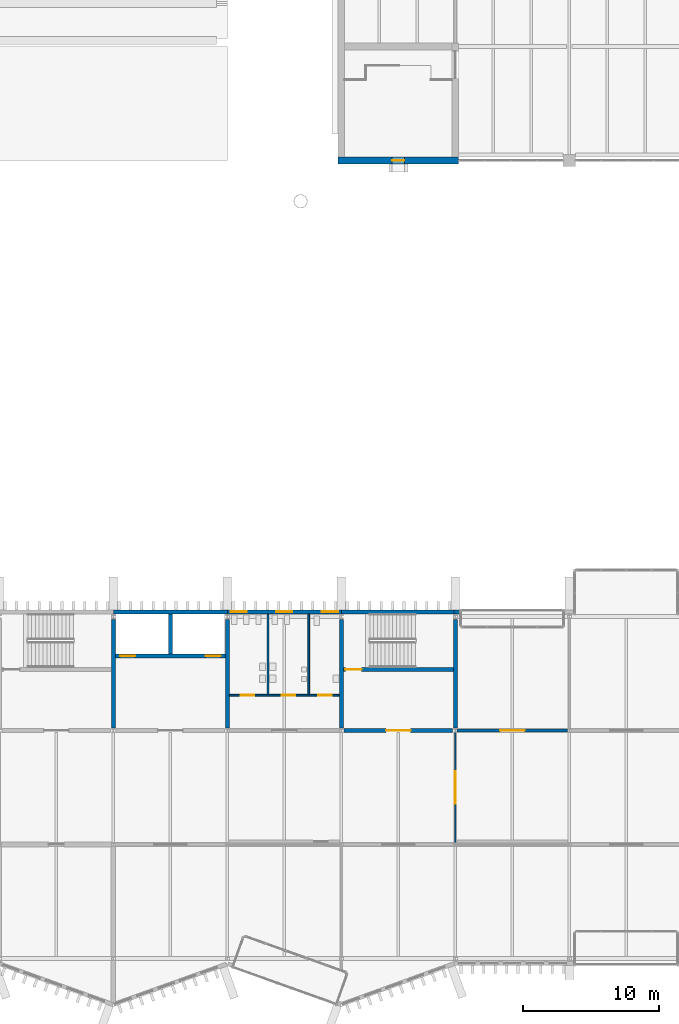
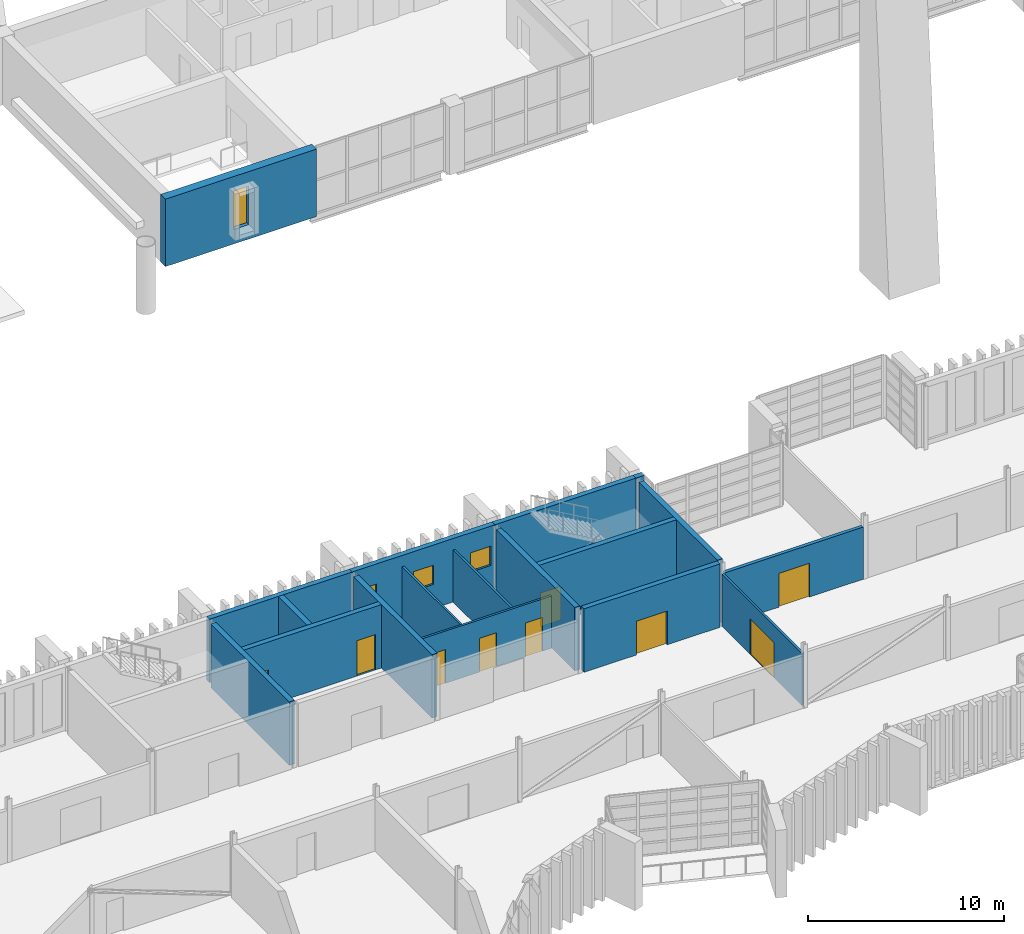
# One storey, part 56 of 88: 18 walls, 9 doors, 4 windows, 13 openings.
"""IFC4 building model written with IfcOpenShell, lengths in metres."""

from ifc_helpers import new_model, si_unit, direction, frame, frame_2d, origin, place, context, subcontext, project, spatial, rectangle, extrude, material, layer, layer_set, type_object, element, fill, save


model = new_model("IFC4")

# Units and contexts
model_context = context("Model", 3, precision=1e-05, world=origin(), true_north=direction((0.0, 1.0)))
body_context = subcontext(model_context, "Body", "Model", "MODEL_VIEW")
ifc_project = project(units=[si_unit("LENGTHUNIT", "METRE"), si_unit("AREAUNIT", "SQUARE_METRE"), si_unit("VOLUMEUNIT", "CUBIC_METRE"), si_unit("PLANEANGLEUNIT", "RADIAN"), si_unit("MASSUNIT", "GRAM", prefix="KILO")], contexts=[model_context])

# Site, building, storey
site_placement = place(None, origin())
site = spatial("IfcSite", under=ifc_project, at=site_placement, CompositionType="ELEMENT")
building_placement = place(site_placement, origin())
building = spatial("IfcBuilding", under=site, at=building_placement, Name="Cresset Court Congress Hotel", CompositionType="ELEMENT")
storey_placement = place(building_placement, frame((0.0, 0.0, 14.39990234375)))
storey = spatial("IfcBuildingStorey", under=building, at=storey_placement, Name="L03", CompositionType="ELEMENT", Elevation=14.39990234375)

# Walls
ifc_material_1 = material(Name="Concrete C50", Category="concrete")
ifc_layer_1 = layer(ifc_material_1, 0.300048828125)
ifc_layer_set_1 = layer_set([ifc_layer_1], Name="Core wall 300 Concrete C50")
wall_type_1 = type_object("IfcWallType", Name="Core wall 300 Concrete C50", PredefinedType="SHEAR", material=ifc_layer_set_1)
for number, where, z_axis, x_axis, name in (
    (1, (42.0, 17.0, 0.0), (0.0, 0.0, 1.0), (0.0, 1.0, 0.0), "Core wall LC-B1"),
    (2, (50.39990234375, 17.0, 0.0), (0.0, 0.0, 1.0), (0.0, 1.0, 0.0), "Core wall LC-B1"),
):
    element("IfcWall", number, at=place(storey_placement, frame(where, z_axis=z_axis, x_axis=x_axis)), inside=storey, type_object=wall_type_1, Name=name, PredefinedType="SHEAR", context=body_context, shape_type="SweptSolid", body=[
        extrude(rectangle(XDim=8.0, YDim=0.300048828125, at=frame_2d((4.0, 0.0))), origin(), (0.0, 0.0, 1.0), 3.9501953125),
    ])

# Wall, openings, doors
wall_1_placement = place(storey_placement, frame((42.14990234375, 22.300048828125, 0.0), z_axis=(0.0, 0.0, 1.0), x_axis=(1.0, 0.0, 0.0)))
wall_1 = element("IfcWall", 3, at=wall_1_placement, inside=storey, type_object=wall_type_1, Name="Core wall LC-B1", PredefinedType="SHEAR", context=body_context, shape_type="SweptSolid", body=[
    extrude(rectangle(XDim=8.10009765625, YDim=0.300048828125, at=frame_2d((4.050048828125, 0.0))), origin(), (0.0, 0.0, 1.0), 3.9501953125),
])
opening_1_placement = place(wall_1_placement, frame((0.35009765625, 0.0, 0.0)))
opening_1 = element("IfcOpeningElement", 4, at=opening_1_placement, cuts=wall_1, Name="Opening LD-B1-09", PredefinedType="OPENING", context=body_context, shape_type="SweptSolid", body=[
    extrude(rectangle(XDim=1.10009765625, YDim=2.199951171875, at=frame_2d((0.550048828125, 1.10009765625))), frame((0.0, 0.159912109375, 0.0), z_axis=(0.0, -1.0, 0.0), x_axis=(1.0, 0.0, 0.0)), (0.0, 0.0, 1.0), 0.320068359375),
])
opening_2_placement = place(wall_1_placement, frame((6.64990234375, 0.0, 0.0)))
opening_2 = element("IfcOpeningElement", 5, at=opening_2_placement, cuts=wall_1, Name="Opening LD-B1-10", PredefinedType="OPENING", context=body_context, shape_type="SweptSolid", body=[
    extrude(rectangle(XDim=1.10009765625, YDim=2.199951171875, at=frame_2d((0.550048828125, 1.10009765625))), frame((0.0, 0.159912109375, 0.0), z_axis=(0.0, -1.0, 0.0), x_axis=(1.0, 0.0, 0.0)), (0.0, 0.0, 1.0), 0.320068359375),
])
ifc_material_2 = material(Name="Stainless steel", Category="steel")
door_type_1 = type_object("IfcDoorType", Name="Lift landing door sliding 1100x2200", OperationType="SLIDING_TO_LEFT", PredefinedType="DOOR", material=ifc_material_2)
door_1_placement = place(opening_1_placement, origin())
door_1 = element("IfcDoor", 6, at=door_1_placement, inside=storey, type_object=door_type_1, Name="Lift landing door LD-B1-09", OperationType="SLIDING_TO_LEFT", OverallHeight=2.199951171875, OverallWidth=1.10009765625, PredefinedType="DOOR", context=body_context, shape_type="SweptSolid", body=[
    extrude(rectangle(XDim=1.10009765625, YDim=2.199951171875, at=frame_2d((0.550048828125, 1.10009765625))), frame((0.0, 0.02490234375, 0.0), z_axis=(0.0, -1.0, 0.0), x_axis=(1.0, 0.0, 0.0)), (0.0, 0.0, 1.0), 0.050048828125),
])
fill(opening_1, door_1)
door_2_placement = place(opening_2_placement, origin())
door_2 = element("IfcDoor", 7, at=door_2_placement, inside=storey, type_object=door_type_1, Name="Lift landing door LD-B1-10", OperationType="SLIDING_TO_LEFT", OverallHeight=2.199951171875, OverallWidth=1.10009765625, PredefinedType="DOOR", context=body_context, shape_type="SweptSolid", body=[
    extrude(rectangle(XDim=1.10009765625, YDim=2.199951171875, at=frame_2d((0.550048828125, 1.10009765625))), frame((0.0, 0.02490234375, 0.0), z_axis=(0.0, -1.0, 0.0), x_axis=(1.0, 0.0, 0.0)), (0.0, 0.0, 1.0), 0.050048828125),
])
fill(opening_2, door_2)

# Walls
wall_2_placement = place(storey_placement, frame((46.199951171875, 22.449951171875, 0.0), z_axis=(0.0, 0.0, 1.0), x_axis=(0.0, 1.0, 0.0)))
element("IfcWall", 8, at=wall_2_placement, inside=storey, type_object=wall_type_1, Name="Core wall LC-B1", PredefinedType="SHEAR", context=body_context, shape_type="SweptSolid", body=[
    extrude(rectangle(XDim=2.949951171875, YDim=0.300048828125, at=frame_2d((1.47509765625, 0.0))), origin(), (0.0, 0.0, 1.0), 3.9501953125),
])
for number, where, z_axis, x_axis, name in (
    (9, (58.800048828125, 17.0, 0.0), (0.0, 0.0, 1.0), (0.0, 1.0, 0.0), "Core wall ST-B3"),
    (10, (67.199951171875, 17.0, 0.0), (0.0, 0.0, 1.0), (0.0, 1.0, 0.0), "Core wall ST-B3"),
):
    element("IfcWall", number, at=place(storey_placement, frame(where, z_axis=z_axis, x_axis=x_axis)), inside=storey, type_object=wall_type_1, Name=name, PredefinedType="SHEAR", context=body_context, shape_type="SweptSolid", body=[
        extrude(rectangle(XDim=8.0, YDim=0.300048828125, at=frame_2d((4.0, 0.0))), origin(), (0.0, 0.0, 1.0), 3.9501953125),
    ])

# Wall, opening, door
wall_3_placement = place(storey_placement, frame((59.0, 16.800048828125, 0.0), z_axis=(0.0, 0.0, 1.0), x_axis=(1.0, 0.0, 0.0)))
wall_3 = element("IfcWall", 11, at=wall_3_placement, inside=storey, type_object=wall_type_1, Name="Core wall ST-B3", PredefinedType="SHEAR", context=body_context, shape_type="SweptSolid", body=[
    extrude(rectangle(XDim=8.0, YDim=0.300048828125, at=frame_2d((4.0, 0.0))), origin(), (0.0, 0.0, 1.0), 3.9501953125),
])
opening_3_placement = place(wall_3_placement, frame((3.10009765625, 0.0, 0.0)))
opening_3 = element("IfcOpeningElement", 12, at=opening_3_placement, cuts=wall_3, Name="Opening DB-03-49", PredefinedType="OPENING", context=body_context, shape_type="SweptSolid", body=[
    extrude(rectangle(XDim=1.800048828125, YDim=2.10009765625, at=frame_2d((0.89990234375, 1.050048828125))), frame((0.0, 0.159912109375, 0.0), z_axis=(0.0, -1.0, 0.0), x_axis=(1.0, 0.0, 0.0)), (0.0, 0.0, 1.0), 0.320068359375),
])
ifc_material_3 = material(Name="Timber and steel frame", Category="steel")
door_type_2 = type_object("IfcDoorType", Name="Lobby fire door FD60 double 1800x2100", OperationType="DOUBLE_DOOR_SINGLE_SWING", PredefinedType="DOOR", material=ifc_material_3)
door_3_placement = place(opening_3_placement, origin())
door_3 = element("IfcDoor", 13, at=door_3_placement, inside=storey, type_object=door_type_2, Name="Stair lobby door ST-B3", OperationType="DOUBLE_DOOR_SINGLE_SWING", OverallHeight=2.10009765625, OverallWidth=1.800048828125, PredefinedType="DOOR", context=body_context, shape_type="SweptSolid", body=[
    extrude(rectangle(XDim=1.800048828125, YDim=2.10009765625, at=frame_2d((0.89990234375, 1.050048828125))), frame((0.0, 0.02490234375, 0.0), z_axis=(0.0, -1.0, 0.0), x_axis=(1.0, 0.0, 0.0)), (0.0, 0.0, 1.0), 0.050048828125),
])
fill(opening_3, door_3)

wall_4_placement = place(storey_placement, frame((58.949951171875, 21.300048828125, 0.0), z_axis=(0.0, 0.0, 1.0), x_axis=(1.0, 0.0, 0.0)))
wall_4 = element("IfcWall", 14, at=wall_4_placement, inside=storey, type_object=wall_type_1, Name="Core wall ST-B3", PredefinedType="SHEAR", context=body_context, shape_type="SweptSolid", body=[
    extrude(rectangle(XDim=8.10009765625, YDim=0.300048828125, at=frame_2d((4.050048828125, 0.0))), origin(), (0.0, 0.0, 1.0), 3.9501953125),
])
opening_4_placement = place(wall_4_placement, frame((0.14990234375, 0.0, 0.0)))
opening_4 = element("IfcOpeningElement", 15, at=opening_4_placement, cuts=wall_4, Name="Opening DB-03-48", PredefinedType="OPENING", context=body_context, shape_type="SweptSolid", body=[
    extrude(rectangle(XDim=1.199951171875, YDim=2.10009765625, at=frame_2d((0.60009765625, 1.050048828125))), frame((0.0, 0.159912109375, 0.0), z_axis=(0.0, -1.0, 0.0), x_axis=(1.0, 0.0, 0.0)), (0.0, 0.0, 1.0), 0.320068359375),
])
ifc_material_4 = material(Name="Timber and steel frame", Category="steel")
door_type_3 = type_object("IfcDoorType", Name="Stair fire door FD60 1200x2100", OperationType="SINGLE_SWING_LEFT", PredefinedType="DOOR", material=ifc_material_4)
door_4_placement = place(opening_4_placement, origin())
door_4 = element("IfcDoor", 16, at=door_4_placement, inside=storey, type_object=door_type_3, Name="Stair door ST-B3", OperationType="SINGLE_SWING_LEFT", OverallHeight=2.10009765625, OverallWidth=1.199951171875, PredefinedType="DOOR", context=body_context, shape_type="SweptSolid", body=[
    extrude(rectangle(XDim=1.199951171875, YDim=2.10009765625, at=frame_2d((0.60009765625, 1.050048828125))), frame((0.0, 0.02490234375, 0.0), z_axis=(0.0, -1.0, 0.0), x_axis=(1.0, 0.0, 0.0)), (0.0, 0.0, 1.0), 0.050048828125),
])
fill(opening_4, door_4)

# Walls
ifc_material_5 = material(Name="Concrete C50", Category="concrete")
ifc_layer_2 = layer(ifc_material_5, 0.300048828125)
ifc_layer_set_2 = layer_set([ifc_layer_2], Name="Core wall 300 Concrete C50 external")
wall_type_2 = type_object("IfcWallType", Name="Core wall 300 Concrete C50 external", PredefinedType="SHEAR", material=ifc_layer_set_2)
for number, where, z_axis, x_axis, name in (
    (17, (42.0, 25.550048828125, 0.0), (0.0, 0.0, 1.0), (1.0, 0.0, 0.0), "Core wall LC-B1"),
    (18, (58.800048828125, 25.550048828125, 0.0), (0.0, 0.0, 1.0), (1.0, 0.0, 0.0), "Core wall ST-B3"),
):
    element("IfcWall", number, at=place(storey_placement, frame(where, z_axis=z_axis, x_axis=x_axis)), inside=storey, type_object=wall_type_2, Name=name, PredefinedType="SHEAR", context=body_context, shape_type="SweptSolid", body=[
        extrude(rectangle(XDim=8.39990234375, YDim=0.300048828125, at=frame_2d((4.199951171875, 0.0))), origin(), (0.0, 0.0, 1.0), 3.9501953125),
    ])

# Wall, openings, windows
ifc_material_6 = material(Name="Concrete C40", Category="concrete")
ifc_layer_3 = layer(ifc_material_6, 0.300048828125)
ifc_layer_set_3 = layer_set([ifc_layer_3], Name="External wall 300 Concrete C40")
wall_type_3 = type_object("IfcWallType", Name="External wall 300 Concrete C40", PredefinedType="SOLIDWALL", material=ifc_layer_set_3)
wall_5_placement = place(storey_placement, frame((50.300048828125, 25.550048828125, 0.0), z_axis=(0.0, 0.0, 1.0), x_axis=(1.0, 0.0, 0.0)))
wall_5 = element("IfcWall", 19, at=wall_5_placement, inside=storey, type_object=wall_type_3, Name="External wall", PredefinedType="SOLIDWALL", context=body_context, shape_type="SweptSolid", body=[
    extrude(rectangle(XDim=8.599853515625, YDim=0.300048828125, at=frame_2d((4.2998046875, 0.0))), origin(), (0.0, 0.0, 1.0), 3.9501953125),
])
opening_5_placement = place(wall_5_placement, frame((0.340087890625, 0.0, 1.5)))
opening_5 = element("IfcOpeningElement", 20, at=opening_5_placement, cuts=wall_5, Name="Opening NB-03-54", PredefinedType="OPENING", context=body_context, shape_type="SweptSolid", body=[
    extrude(rectangle(XDim=1.199951171875, YDim=1.199951171875, at=frame_2d((0.60009765625, 0.60009765625))), frame((0.0, 0.159912109375, 0.0), z_axis=(0.0, -1.0, 0.0), x_axis=(1.0, 0.0, 0.0)), (0.0, 0.0, 1.0), 0.320068359375),
])
opening_6_placement = place(wall_5_placement, frame((3.699951171875, 0.0, 1.5)))
opening_6 = element("IfcOpeningElement", 21, at=opening_6_placement, cuts=wall_5, Name="Opening NB-03-55", PredefinedType="OPENING", context=body_context, shape_type="SweptSolid", body=[
    extrude(rectangle(XDim=1.199951171875, YDim=1.199951171875, at=frame_2d((0.60009765625, 0.60009765625))), frame((0.0, 0.159912109375, 0.0), z_axis=(0.0, -1.0, 0.0), x_axis=(1.0, 0.0, 0.0)), (0.0, 0.0, 1.0), 0.320068359375),
])
opening_7_placement = place(wall_5_placement, frame((7.06005859375, 0.0, 1.5)))
opening_7 = element("IfcOpeningElement", 22, at=opening_7_placement, cuts=wall_5, Name="Opening NB-03-56", PredefinedType="OPENING", context=body_context, shape_type="SweptSolid", body=[
    extrude(rectangle(XDim=1.199951171875, YDim=1.199951171875, at=frame_2d((0.60009765625, 0.60009765625))), frame((0.0, 0.159912109375, 0.0), z_axis=(0.0, -1.0, 0.0), x_axis=(1.0, 0.0, 0.0)), (0.0, 0.0, 1.0), 0.320068359375),
])
ifc_material_7 = material(Name="Aluminium frame with double glazing", Category="aluminium")
window_type_1 = type_object("IfcWindowType", Name="Window 1200x1200", PartitioningType="SINGLE_PANEL", PredefinedType="WINDOW", material=ifc_material_7)
window_1_placement = place(opening_5_placement, origin())
window_1 = element("IfcWindow", 23, at=window_1_placement, inside=storey, type_object=window_type_1, Name="Window NB-03-54", OverallHeight=1.199951171875, OverallWidth=1.199951171875, PartitioningType="SINGLE_PANEL", PredefinedType="WINDOW", context=body_context, shape_type="SweptSolid", body=[
    extrude(rectangle(XDim=1.199951171875, YDim=1.199951171875, at=frame_2d((0.60009765625, 0.60009765625))), frame((0.0, 0.030029296875, 0.0), z_axis=(0.0, -1.0, 0.0), x_axis=(1.0, 0.0, 0.0)), (0.0, 0.0, 1.0), 0.06005859375),
])
fill(opening_5, window_1)
window_2_placement = place(opening_6_placement, origin())
window_2 = element("IfcWindow", 24, at=window_2_placement, inside=storey, type_object=window_type_1, Name="Window NB-03-55", OverallHeight=1.199951171875, OverallWidth=1.199951171875, PartitioningType="SINGLE_PANEL", PredefinedType="WINDOW", context=body_context, shape_type="SweptSolid", body=[
    extrude(rectangle(XDim=1.199951171875, YDim=1.199951171875, at=frame_2d((0.60009765625, 0.60009765625))), frame((0.0, 0.030029296875, 0.0), z_axis=(0.0, -1.0, 0.0), x_axis=(1.0, 0.0, 0.0)), (0.0, 0.0, 1.0), 0.06005859375),
])
fill(opening_6, window_2)
window_3_placement = place(opening_7_placement, origin())
window_3 = element("IfcWindow", 25, at=window_3_placement, inside=storey, type_object=window_type_1, Name="Window NB-03-56", OverallHeight=1.199951171875, OverallWidth=1.199951171875, PartitioningType="SINGLE_PANEL", PredefinedType="WINDOW", context=body_context, shape_type="SweptSolid", body=[
    extrude(rectangle(XDim=1.199951171875, YDim=1.199951171875, at=frame_2d((0.60009765625, 0.60009765625))), frame((0.0, 0.030029296875, 0.0), z_axis=(0.0, -1.0, 0.0), x_axis=(1.0, 0.0, 0.0)), (0.0, 0.0, 1.0), 0.06005859375),
])
fill(opening_7, window_3)

# Wall
wall_6_placement = place(storey_placement, frame((67.10009765625, 25.550048828125, 0.0), z_axis=(0.0, 0.0, 1.0), x_axis=(1.0, 0.0, 0.0)))
element("IfcWall", 26, at=wall_6_placement, inside=storey, type_object=wall_type_3, Name="External wall", PredefinedType="SOLIDWALL", context=body_context, shape_type="SweptSolid", body=[
    extrude(rectangle(XDim=0.5, YDim=0.300048828125, at=frame_2d((0.25, 0.0))), origin(), (0.0, 0.0, 1.0), 3.9501953125),
])

# Wall, opening, door
ifc_material_8 = material(Name="Gypsum board on steel studs", Category="steel")
ifc_layer_4 = layer(ifc_material_8, 0.199951171875)
ifc_layer_set_4 = layer_set([ifc_layer_4], Name="Foyer wall 200")
wall_type_4 = type_object("IfcWallType", Name="Foyer wall 200", PredefinedType="PARTITIONING", material=ifc_layer_set_4)
wall_7_placement = place(storey_placement, frame((67.324951171875, 16.800048828125, 0.0), z_axis=(0.0, 0.0, 1.0), x_axis=(1.0, 0.0, 0.0)))
wall_7 = element("IfcWall", 27, at=wall_7_placement, inside=storey, type_object=wall_type_4, Name="Foyer wall", PredefinedType="PARTITIONING", context=body_context, shape_type="SweptSolid", body=[
    extrude(rectangle(XDim=8.150146484375, YDim=0.199951171875, at=frame_2d((4.0751953125, 0.0))), origin(), (0.0, 0.0, 1.0), 3.25),
])
opening_8_placement = place(wall_7_placement, frame((3.175048828125, 0.0, 0.0)))
opening_8 = element("IfcOpeningElement", 28, at=opening_8_placement, cuts=wall_7, Name="Opening DB-03-20", PredefinedType="OPENING", context=body_context, shape_type="SweptSolid", body=[
    extrude(rectangle(XDim=1.800048828125, YDim=2.10009765625, at=frame_2d((0.89990234375, 1.050048828125))), frame((0.0, 0.10986328125, 0.0), z_axis=(0.0, -1.0, 0.0), x_axis=(1.0, 0.0, 0.0)), (0.0, 0.0, 1.0), 0.219970703125),
])
ifc_material_9 = material(Name="Timber and steel frame", Category="steel")
door_type_4 = type_object("IfcDoorType", Name="Fire door FD30 double 1800x2100", OperationType="DOUBLE_DOOR_SINGLE_SWING", PredefinedType="DOOR", material=ifc_material_9)
door_5_placement = place(opening_8_placement, origin())
door_5 = element("IfcDoor", 29, at=door_5_placement, inside=storey, type_object=door_type_4, Name="Meeting Room door", OperationType="DOUBLE_DOOR_SINGLE_SWING", OverallHeight=2.10009765625, OverallWidth=1.800048828125, PredefinedType="DOOR", context=body_context, shape_type="SweptSolid", body=[
    extrude(rectangle(XDim=1.800048828125, YDim=2.10009765625, at=frame_2d((0.89990234375, 1.050048828125))), frame((0.0, 0.02490234375, 0.0), z_axis=(0.0, -1.0, 0.0), x_axis=(1.0, 0.0, 0.0)), (0.0, 0.0, 1.0), 0.050048828125),
])
fill(opening_8, door_5)

ifc_material_10 = material(Name="Fire-resisting glazed screen")
ifc_layer_5 = layer(ifc_material_10, 0.125)
ifc_layer_set_5 = layer_set([ifc_layer_5], Name="Glazed fire screen 125")
wall_type_5 = type_object("IfcWallType", Name="Glazed fire screen 125", PredefinedType="PARTITIONING", material=ifc_layer_set_5)
wall_8_placement = place(storey_placement, frame((67.199951171875, 8.52490234375, 0.0), z_axis=(0.0, 0.0, 1.0), x_axis=(0.0, 1.0, 0.0)))
wall_8 = element("IfcWall", 30, at=wall_8_placement, inside=storey, type_object=wall_type_5, Name="Glazed fire screen", PredefinedType="PARTITIONING", context=body_context, shape_type="SweptSolid", body=[
    extrude(rectangle(XDim=8.150146484375, YDim=0.125, at=frame_2d((4.0751953125, 0.0))), origin(), (0.0, 0.0, 1.0), 3.25),
])
opening_9_placement = place(wall_8_placement, frame((2.875, 0.0, 0.0)))
opening_9 = element("IfcOpeningElement", 31, at=opening_9_placement, cuts=wall_8, Name="Opening DB-03-33", PredefinedType="OPENING", context=body_context, shape_type="SweptSolid", body=[
    extrude(rectangle(XDim=2.39990234375, YDim=2.199951171875, at=frame_2d((1.199951171875, 1.10009765625))), frame((0.0, 0.072509765625, 0.0), z_axis=(0.0, -1.0, 0.0), x_axis=(1.0, 0.0, 0.0)), (0.0, 0.0, 1.0), 0.14501953125),
])
ifc_material_11 = material(Name="Fire-resisting glazing in steel frame", Category="steel")
door_type_5 = type_object("IfcDoorType", Name="Smoke door glazed double 2400x2200", OperationType="DOUBLE_DOOR_SINGLE_SWING", PredefinedType="DOOR", material=ifc_material_11)
door_6_placement = place(opening_9_placement, origin())
door_6 = element("IfcDoor", 32, at=door_6_placement, inside=storey, type_object=door_type_5, Name="Foyer screen door", OperationType="DOUBLE_DOOR_SINGLE_SWING", OverallHeight=2.199951171875, OverallWidth=2.39990234375, PredefinedType="DOOR", context=body_context, shape_type="SweptSolid", body=[
    extrude(rectangle(XDim=2.39990234375, YDim=2.199951171875, at=frame_2d((1.199951171875, 1.10009765625))), frame((0.0, 0.02490234375, 0.0), z_axis=(0.0, -1.0, 0.0), x_axis=(1.0, 0.0, 0.0)), (0.0, 0.0, 1.0), 0.050048828125),
])
fill(opening_9, door_6)

# Wall, opening, window
ifc_material_12 = material(Name="Limestone-faced precast concrete C50", Category="masonry")
ifc_layer_6 = layer(ifc_material_12, 0.5)
ifc_layer_set_6 = layer_set([ifc_layer_6], Name="Hall perimeter wall 500")
wall_type_6 = type_object("IfcWallType", Name="Hall perimeter wall 500", PredefinedType="SOLIDWALL", material=ifc_layer_set_6)
wall_9_placement = place(storey_placement, frame((67.449951171875, 58.800048828125, 0.0), z_axis=(0.0, 0.0, 1.0), x_axis=(-1.0, 0.0, 0.0)))
wall_9 = element("IfcWall", 33, at=wall_9_placement, inside=storey, type_object=wall_type_6, Name="Wall CW-SL03-1", PredefinedType="SOLIDWALL", context=body_context, shape_type="SweptSolid", body=[
    extrude(rectangle(XDim=8.89990234375, YDim=0.5, at=frame_2d((4.449951171875, 0.0))), origin(), (0.0, 0.0, 1.0), 4.2001953125),
])
opening_10_placement = place(wall_9_placement, frame((4.0, 0.0, 0.89990234375)))
opening_10 = element("IfcOpeningElement", 34, at=opening_10_placement, cuts=wall_9, Name="Opening NC-03-C1", PredefinedType="OPENING", context=body_context, shape_type="SweptSolid", body=[
    extrude(rectangle(XDim=0.89990234375, YDim=2.39990234375, at=frame_2d((0.449951171875, 1.199951171875))), frame((0.0, 0.260009765625, 0.0), z_axis=(0.0, -1.0, 0.0), x_axis=(1.0, 0.0, 0.0)), (0.0, 0.0, 1.0), 0.52001953125),
])
ifc_material_13 = material(Name="Aluminium and glass", Category="aluminium")
window_type_2 = type_object("IfcWindowType", Name="Fixed window 900x2400", PartitioningType="SINGLE_PANEL", PredefinedType="WINDOW", material=ifc_material_13)
window_4_placement = place(opening_10_placement, origin())
window_4 = element("IfcWindow", 35, at=window_4_placement, inside=storey, type_object=window_type_2, Name="Window NC-03-C1", OverallHeight=2.39990234375, OverallWidth=0.89990234375, PartitioningType="SINGLE_PANEL", PredefinedType="WINDOW", context=body_context, shape_type="SweptSolid", body=[
    extrude(rectangle(XDim=0.89990234375, YDim=2.39990234375, at=frame_2d((0.449951171875, 1.199951171875))), frame((0.0, 0.030029296875, 0.0), z_axis=(0.0, -1.0, 0.0), x_axis=(1.0, 0.0, 0.0)), (0.0, 0.0, 1.0), 0.06005859375),
])
fill(opening_10, window_4)

# Wall, openings, doors
ifc_material_14 = material(Name="Moisture-resistant board on steel studs", Category="steel")
ifc_layer_7 = layer(ifc_material_14, 0.125)
ifc_layer_set_7 = layer_set([ifc_layer_7], Name="Wet area partition 125")
wall_type_7 = type_object("IfcWallType", Name="Wet area partition 125", PredefinedType="PARTITIONING", material=ifc_layer_set_7)
wall_10_placement = place(storey_placement, frame((50.550048828125, 19.39990234375, 0.0), z_axis=(0.0, 0.0, 1.0), x_axis=(1.0, 0.0, 0.0)))
wall_10 = element("IfcWall", 36, at=wall_10_placement, inside=storey, type_object=wall_type_7, Name="Wet area partition", PredefinedType="PARTITIONING", context=body_context, shape_type="SweptSolid", body=[
    extrude(rectangle(XDim=8.099853515625, YDim=0.125, at=frame_2d((4.0498046875, 0.0))), origin(), (0.0, 0.0, 1.0), 3.25),
])
opening_11_placement = place(wall_10_placement, frame((0.85009765625, 0.0, 0.0)))
opening_11 = element("IfcOpeningElement", 37, at=opening_11_placement, cuts=wall_10, Name="Opening DB-03-27", PredefinedType="OPENING", context=body_context, shape_type="SweptSolid", body=[
    extrude(rectangle(XDim=1.0, YDim=2.10009765625, at=frame_2d((0.5, 1.050048828125))), frame((0.0, 0.072509765625, 0.0), z_axis=(0.0, -1.0, 0.0), x_axis=(1.0, 0.0, 0.0)), (0.0, 0.0, 1.0), 0.14501953125),
])
opening_12_placement = place(wall_10_placement, frame((3.85009765625, 0.0, 0.0)))
opening_12 = element("IfcOpeningElement", 38, at=opening_12_placement, cuts=wall_10, Name="Opening DB-03-28", PredefinedType="OPENING", context=body_context, shape_type="SweptSolid", body=[
    extrude(rectangle(XDim=1.0, YDim=2.10009765625, at=frame_2d((0.5, 1.050048828125))), frame((0.0, 0.072509765625, 0.0), z_axis=(0.0, -1.0, 0.0), x_axis=(1.0, 0.0, 0.0)), (0.0, 0.0, 1.0), 0.14501953125),
])
opening_13_placement = place(wall_10_placement, frame((6.550048828125, 0.0, 0.0)))
opening_13 = element("IfcOpeningElement", 39, at=opening_13_placement, cuts=wall_10, Name="Opening DB-03-29", PredefinedType="OPENING", context=body_context, shape_type="SweptSolid", body=[
    extrude(rectangle(XDim=1.0, YDim=2.10009765625, at=frame_2d((0.5, 1.050048828125))), frame((0.0, 0.072509765625, 0.0), z_axis=(0.0, -1.0, 0.0), x_axis=(1.0, 0.0, 0.0)), (0.0, 0.0, 1.0), 0.14501953125),
])
ifc_material_15 = material(Name="Timber and steel frame", Category="steel")
door_type_6 = type_object("IfcDoorType", Name="Single door 1000x2100", OperationType="SINGLE_SWING_LEFT", PredefinedType="DOOR", material=ifc_material_15)
door_7_placement = place(opening_13_placement, origin())
door_7 = element("IfcDoor", 40, at=door_7_placement, inside=storey, type_object=door_type_6, Name="Accessible WC door", OperationType="SINGLE_SWING_LEFT", OverallHeight=2.10009765625, OverallWidth=1.0, PredefinedType="DOOR", context=body_context, shape_type="SweptSolid", body=[
    extrude(rectangle(XDim=1.0, YDim=2.10009765625, at=frame_2d((0.5, 1.050048828125))), frame((0.0, 0.02490234375, 0.0), z_axis=(0.0, -1.0, 0.0), x_axis=(1.0, 0.0, 0.0)), (0.0, 0.0, 1.0), 0.050048828125),
])
fill(opening_13, door_7)
ifc_material_16 = material(Name="Timber and steel frame", Category="steel")
door_type_7 = type_object("IfcDoorType", Name="Toilet door 1000x2100", OperationType="SINGLE_SWING_LEFT", PredefinedType="DOOR", material=ifc_material_16)
door_8_placement = place(opening_11_placement, origin())
door_8 = element("IfcDoor", 41, at=door_8_placement, inside=storey, type_object=door_type_7, Name="Women's WC door", OperationType="SINGLE_SWING_LEFT", OverallHeight=2.10009765625, OverallWidth=1.0, PredefinedType="DOOR", context=body_context, shape_type="SweptSolid", body=[
    extrude(rectangle(XDim=1.0, YDim=2.10009765625, at=frame_2d((0.5, 1.050048828125))), frame((0.0, 0.02490234375, 0.0), z_axis=(0.0, -1.0, 0.0), x_axis=(1.0, 0.0, 0.0)), (0.0, 0.0, 1.0), 0.050048828125),
])
fill(opening_11, door_8)
door_9_placement = place(opening_12_placement, origin())
door_9 = element("IfcDoor", 42, at=door_9_placement, inside=storey, type_object=door_type_7, Name="Men's WC door", OperationType="SINGLE_SWING_LEFT", OverallHeight=2.10009765625, OverallWidth=1.0, PredefinedType="DOOR", context=body_context, shape_type="SweptSolid", body=[
    extrude(rectangle(XDim=1.0, YDim=2.10009765625, at=frame_2d((0.5, 1.050048828125))), frame((0.0, 0.02490234375, 0.0), z_axis=(0.0, -1.0, 0.0), x_axis=(1.0, 0.0, 0.0)), (0.0, 0.0, 1.0), 0.050048828125),
])
fill(opening_12, door_9)

# Walls
for number, where, z_axis, x_axis, name in (
    (43, (53.39990234375, 19.46240234375, 0.0), (0.0, 0.0, 1.0), (0.0, 1.0, 0.0), "Wet area partition"),
    (44, (56.39990234375, 19.46240234375, 0.0), (0.0, 0.0, 1.0), (0.0, 1.0, 0.0), "Wet area partition"),
):
    element("IfcWall", number, at=place(storey_placement, frame(where, z_axis=z_axis, x_axis=x_axis)), inside=storey, type_object=wall_type_7, Name=name, PredefinedType="PARTITIONING", context=body_context, shape_type="SweptSolid", body=[
        extrude(rectangle(XDim=5.9375, YDim=0.125, at=frame_2d((2.96875, 0.0))), origin(), (0.0, 0.0, 1.0), 3.25),
    ])

save(model, "model.ifc")
